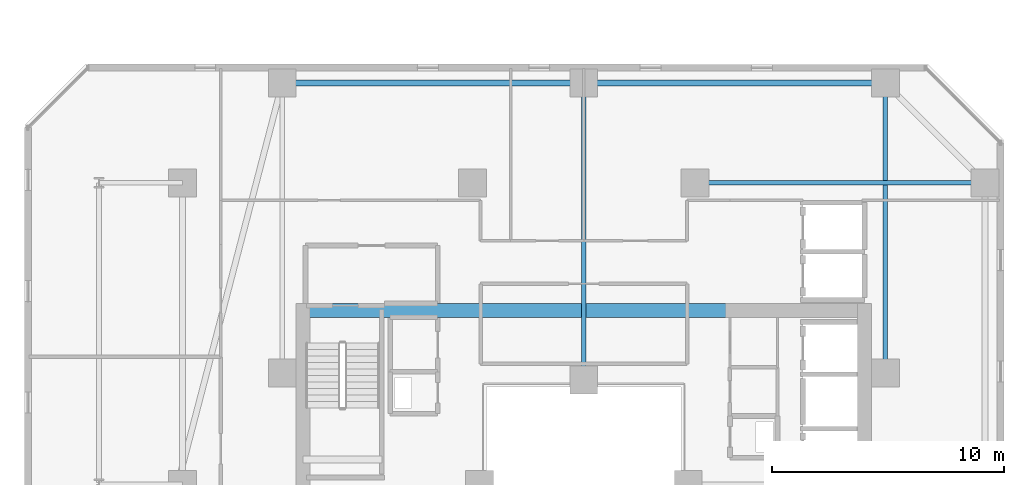
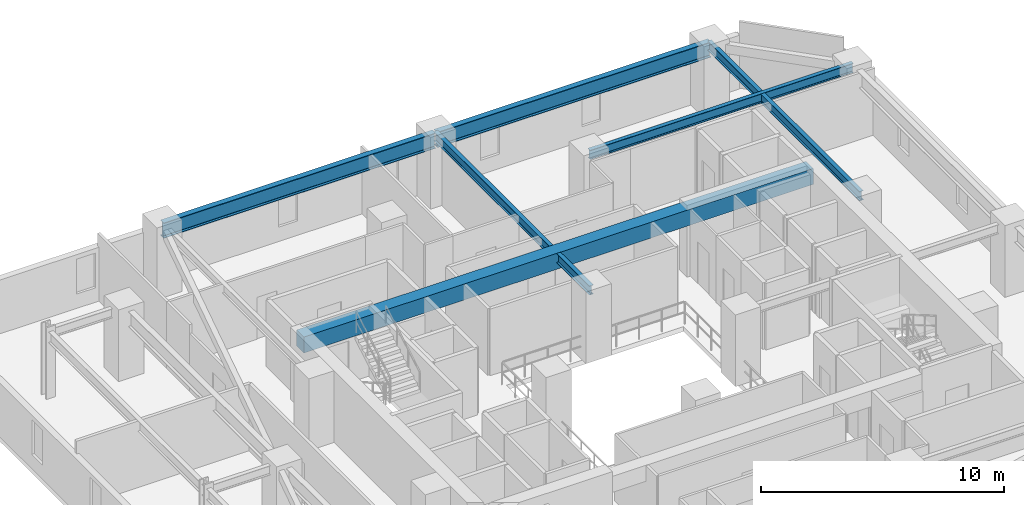
# One storey, part 16 of 33: 6 beams.
"""IFC4 building model written with IfcOpenShell, lengths in metres."""

from ifc_helpers import new_model, si_unit, direction, frame, origin, origin_2d, place, context, subcontext, project, spatial, rectangle, i_section, extrude, material, material_profile, profile_set, type_object, element, save


model = new_model("IFC4")

# Units and contexts
model_context = context("Model", 3, precision=1e-05, world=origin(), true_north=direction((0.0, 1.0)))
body_context = subcontext(model_context, "Body", "Model", "MODEL_VIEW")
ifc_project = project(units=[si_unit("LENGTHUNIT", "METRE"), si_unit("AREAUNIT", "SQUARE_METRE"), si_unit("VOLUMEUNIT", "CUBIC_METRE"), si_unit("PLANEANGLEUNIT", "RADIAN"), si_unit("MASSUNIT", "GRAM", prefix="KILO")], contexts=[model_context])

# Site, building, storey
site_placement = place(None, origin())
site = spatial("IfcSite", under=ifc_project, at=site_placement, CompositionType="ELEMENT")
building_placement = place(site_placement, origin())
building = spatial("IfcBuilding", under=site, at=building_placement, Name="Thornwick Lancets Civic Towers", CompositionType="ELEMENT")
storey_placement = place(building_placement, frame((0.0, 0.0, 108.89990234375)))
storey = spatial("IfcBuildingStorey", under=building, at=storey_placement, Name="L28", CompositionType="ELEMENT", Elevation=108.89990234375)

# Beams
ifc_material_1 = material(Name="Concrete C60/75", Category="concrete")
ifc_material_profile_1 = material_profile(ifc_material_1, rectangle(XDim=0.60009765625, YDim=0.800048828125, at=origin_2d()), Name="RC 600x800")
ifc_profile_set_1 = profile_set([ifc_material_profile_1], Name="Concrete C60/75")
beam_type_1 = type_object("IfcBeamType", Name="BM_COUP_RC800", PredefinedType="BEAM", material=ifc_profile_set_1)
beam_1_placement = place(storey_placement, frame((76.39990234375, 34.5, 2.960205078125), z_axis=(1.0, 0.0, 0.0), x_axis=(0.0, 1.0, 0.0)))
element("IfcBeam", 1, at=beam_1_placement, inside=storey, type_object=beam_type_1, Name="CB-L28-B1", PredefinedType="BEAM", context=body_context, shape_type="SweptSolid", body=[
    extrude(rectangle(XDim=0.60009765625, YDim=0.800048828125, at=origin_2d()), origin(), (0.0, 0.0, 1.0), 24.2001953125),
])
ifc_material_2 = material(Name="Steel S355JR", Category="steel")
ifc_material_profile_2 = material_profile(ifc_material_2, i_section(OverallWidth=0.26806640625, OverallDepth=0.769775390625, WebThickness=0.015625, FlangeThickness=0.025390625, FilletRadius=0.0166015625, at=origin_2d()), Name="UKB 762x267x197")
ifc_profile_set_2 = profile_set([ifc_material_profile_2], Name="Steel S355JR")
beam_type_2 = type_object("IfcBeamType", Name="BM_GIRD_762_197", PredefinedType="BEAM", material=ifc_profile_set_2)
beam_2_placement = place(storey_placement, frame((101.5, 44.300048828125, 2.97509765625), z_axis=(-1.0, 0.0, 0.0), x_axis=(0.0, -1.0, 0.0)))
element("IfcBeam", 2, at=beam_2_placement, inside=storey, type_object=beam_type_2, Name="BM-SPINE-L28-B-3-4", PredefinedType="BEAM", context=body_context, shape_type="SweptSolid", body=[
    extrude(i_section(OverallWidth=0.26806640625, OverallDepth=0.769775390625, WebThickness=0.015625, FlangeThickness=0.025390625, FilletRadius=0.0166015625, at=origin_2d()), origin(), (0.0, 0.0, 1.0), 13.0),
])
beam_3_placement = place(storey_placement, frame((88.419921875, 44.300048828125, 2.97509765625), z_axis=(-1.0, 0.0, 0.0), x_axis=(0.0, -1.0, 0.0)))
element("IfcBeam", 3, at=beam_3_placement, inside=storey, type_object=beam_type_2, Name="BM-SPINE-L28-B-4-5", PredefinedType="BEAM", context=body_context, shape_type="SweptSolid", body=[
    extrude(i_section(OverallWidth=0.26806640625, OverallDepth=0.769775390625, WebThickness=0.015625, FlangeThickness=0.025390625, FilletRadius=0.0166015625, at=origin_2d()), origin(), (0.0, 0.0, 1.0), 12.919921875),
])
ifc_material_profile_3 = material_profile(ifc_material_2, i_section(OverallWidth=0.19189453125, OverallDepth=0.46337890625, WebThickness=0.010498046875, FlangeThickness=0.017578125, FilletRadius=0.01025390625, at=origin_2d()), Name="UKB 457x191x89")
ifc_profile_set_3 = profile_set([ifc_material_profile_3], Name="Steel S355JR")
beam_type_3 = type_object("IfcBeamType", Name="BM_JOIST_457_89", PredefinedType="JOIST", material=ifc_profile_set_3)
for number, where, z_axis, x_axis, name in (
    (4, (93.300048828125, 40.0, 3.12841796875), (1.0, 0.0, 0.0), (0.0, 1.0, 0.0), "BM-RADIN-L28-B03"),
    (5, (101.5, 31.800048828125, 3.12841796875), (0.0, 1.0, 0.0), (-1.0, 0.0, 0.0), "BM-RADIN-L28-B04"),
):
    element("IfcBeam", number, at=place(storey_placement, frame(where, z_axis=z_axis, x_axis=x_axis)), inside=storey, type_object=beam_type_3, Name=name, PredefinedType="JOIST", context=body_context, shape_type="SweptSolid", body=[
        extrude(i_section(OverallWidth=0.19189453125, OverallDepth=0.46337890625, WebThickness=0.010498046875, FlangeThickness=0.017578125, FilletRadius=0.01025390625, at=origin_2d()), origin(), (0.0, 0.0, 1.0), 12.5),
    ])
beam_4_placement = place(storey_placement, frame((88.5, 31.5, 3.12841796875), z_axis=(0.0, 1.0, 0.0), x_axis=(-1.0, 0.0, 0.0)))
element("IfcBeam", 6, at=beam_4_placement, inside=storey, type_object=beam_type_3, Name="BM-RADIN-L28-B05", PredefinedType="JOIST", context=body_context, shape_type="SweptSolid", body=[
    extrude(i_section(OverallWidth=0.19189453125, OverallDepth=0.46337890625, WebThickness=0.010498046875, FlangeThickness=0.017578125, FilletRadius=0.01025390625, at=origin_2d()), origin(), (0.0, 0.0, 1.0), 12.800048828125),
])

save(model, "model.ifc")
